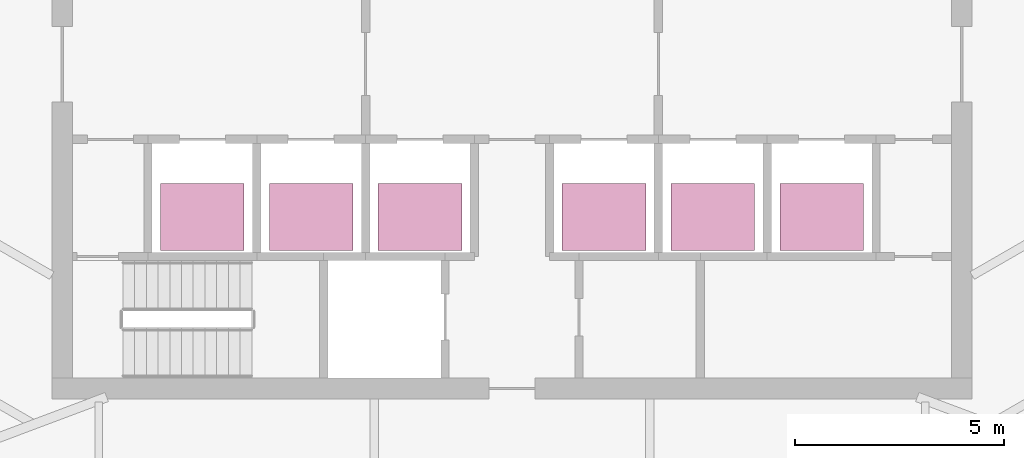
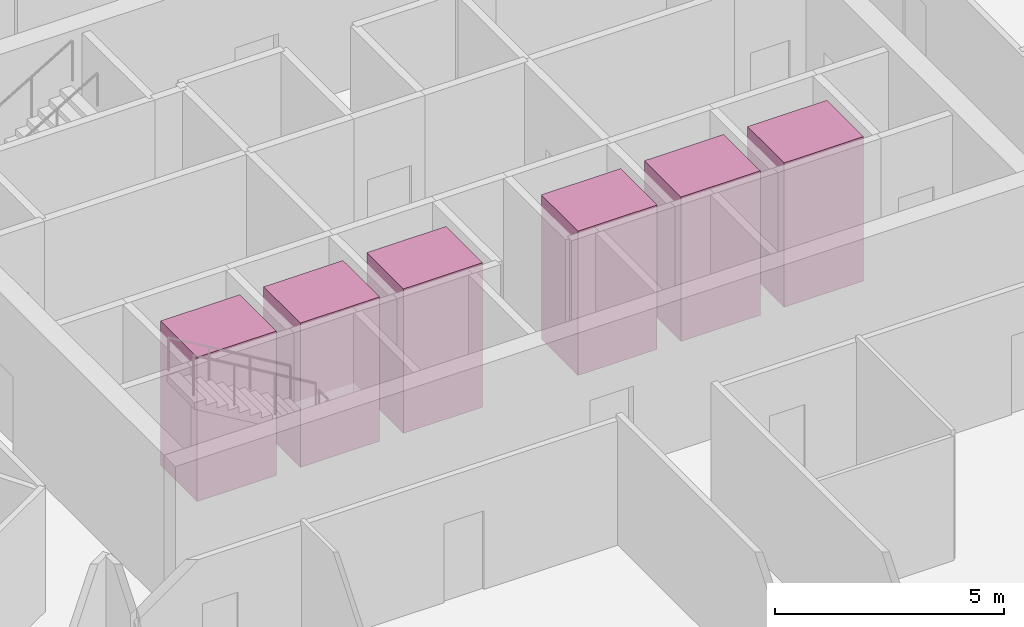
# One storey, part 18 of 18: 6 transport elements.
"""IFC4 building model written with IfcOpenShell, lengths in metres."""

from ifc_helpers import new_model, si_unit, direction, frame, origin, origin_2d, place, context, subcontext, project, spatial, rectangle, extrude, material, type_object, element, save


model = new_model("IFC4")

# Units and contexts
model_context = context("Model", 3, precision=1e-05, world=origin(), true_north=direction((0.0, 1.0)))
body_context = subcontext(model_context, "Body", "Model", "MODEL_VIEW")
ifc_project = project(units=[si_unit("LENGTHUNIT", "METRE"), si_unit("AREAUNIT", "SQUARE_METRE"), si_unit("VOLUMEUNIT", "CUBIC_METRE"), si_unit("PLANEANGLEUNIT", "RADIAN"), si_unit("MASSUNIT", "GRAM", prefix="KILO")], contexts=[model_context])

# Site, building, storey
site_placement = place(None, origin())
site = spatial("IfcSite", under=ifc_project, at=site_placement, CompositionType="ELEMENT")
building_placement = place(site_placement, origin())
building = spatial("IfcBuilding", under=site, at=building_placement, Name="Sierra Prisma Convention Tower", CompositionType="ELEMENT")
storey_placement = place(building_placement, frame((0.0, 0.0, 263.0)))
storey = spatial("IfcBuildingStorey", under=building, at=storey_placement, Name="L59", CompositionType="ELEMENT", Elevation=263.0)

# Transport elements
ifc_material = material(Name="Stainless steel", Category="steel")
transport_element_type = type_object("IfcTransportElementType", Name="Lift car office high 2000x1600 1600 kg", PredefinedType="ELEVATOR", material=ifc_material)
for number, where, z_axis, x_axis, name in (
    (1, (-7.39990234375, -3.64990234375, 0.0), (0.0, 0.0, 1.0), (1.0, 0.0, 0.0), "Lift OH1"),
    (2, (-4.800048828125, -3.64990234375, 0.0), (0.0, 0.0, 1.0), (1.0, 0.0, 0.0), "Lift OH2"),
    (3, (-2.199951171875, -3.64990234375, 0.0), (0.0, 0.0, 1.0), (1.0, 0.0, 0.0), "Lift OH3"),
    (4, (2.199951171875, -3.64990234375, 0.0), (0.0, 0.0, 1.0), (1.0, 0.0, 0.0), "Lift OH4"),
    (5, (4.800048828125, -3.64990234375, 0.0), (0.0, 0.0, 1.0), (1.0, 0.0, 0.0), "Lift OH5"),
    (6, (7.39990234375, -3.64990234375, 0.0), (0.0, 0.0, 1.0), (1.0, 0.0, 0.0), "Lift OH6"),
):
    element("IfcTransportElement", number, at=place(storey_placement, frame(where, z_axis=z_axis, x_axis=x_axis)), inside=storey, type_object=transport_element_type, Name=name, PredefinedType="ELEVATOR", context=body_context, shape_type="SweptSolid", body=[
        extrude(rectangle(XDim=2.0, YDim=1.60009765625, at=origin_2d()), origin(), (0.0, 0.0, 1.0), 3.85009765625),
    ])

save(model, "model.ifc")
